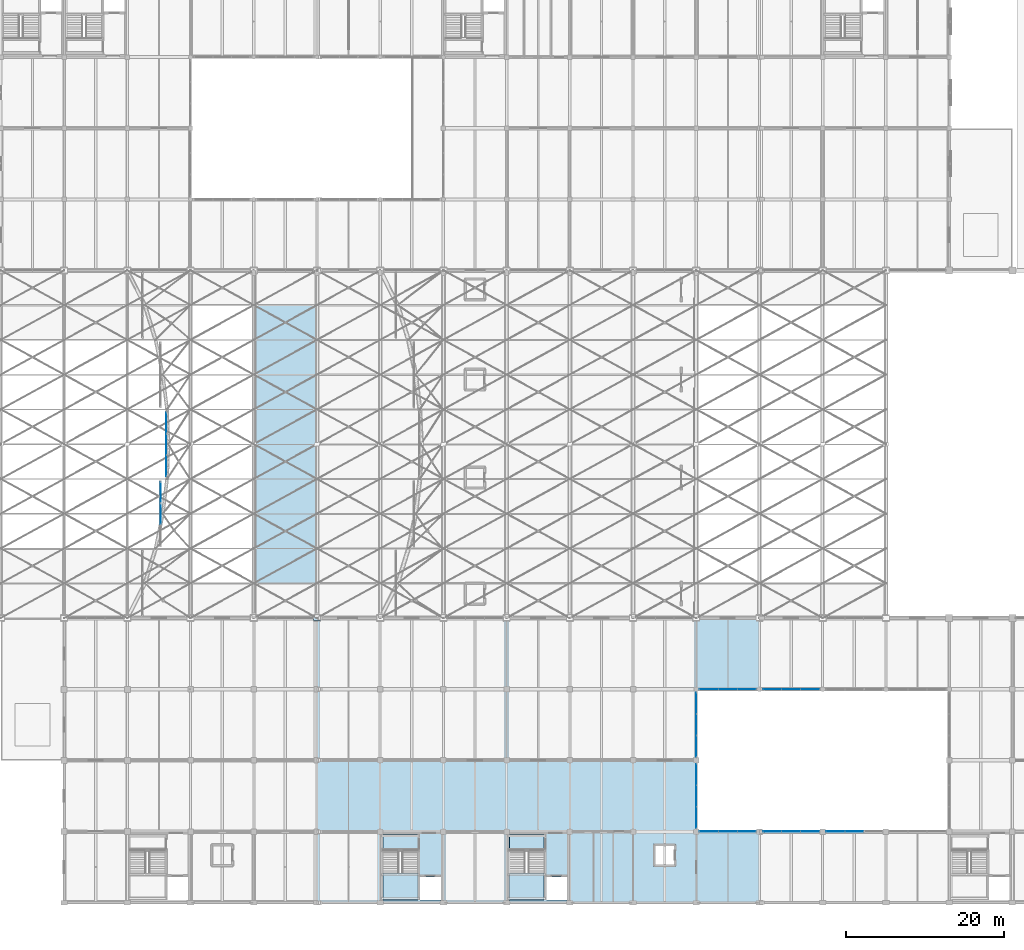
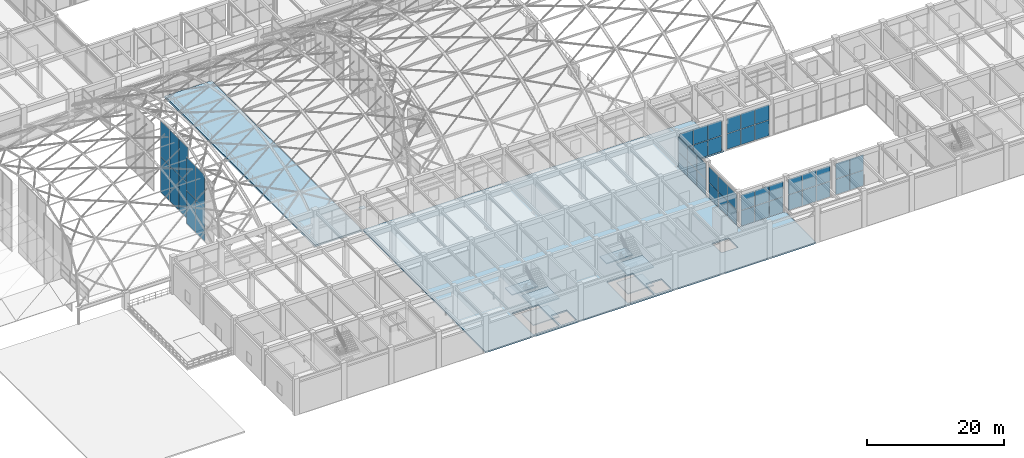
# One storey, part 113 of 163: 51 plates, 8 slabs, 11 elements without a shape of their own.
"""IFC4 building model written with IfcOpenShell, lengths in metres."""

from ifc_helpers import new_model, si_unit, direction, frame, origin, origin_2d, place, context, subcontext, project, spatial, polyline, rectangle, outline, extrude, material, layer, layer_set, type_object, element, aggregate, save


model = new_model("IFC4")

# Units and contexts
model_context = context("Model", 3, precision=1e-05, world=origin(), true_north=direction((0.0, 1.0)))
body_context = subcontext(model_context, "Body", "Model", "MODEL_VIEW")
ifc_project = project(units=[si_unit("LENGTHUNIT", "METRE"), si_unit("AREAUNIT", "SQUARE_METRE"), si_unit("VOLUMEUNIT", "CUBIC_METRE"), si_unit("PLANEANGLEUNIT", "RADIAN"), si_unit("MASSUNIT", "GRAM", prefix="KILO")], contexts=[model_context])

# Site, building, storey
site_placement = place(None, origin())
site = spatial("IfcSite", under=ifc_project, at=site_placement, CompositionType="ELEMENT")
building_placement = place(site_placement, origin())
building = spatial("IfcBuilding", under=site, at=building_placement, Name="Varnabhumi Central Station", CompositionType="ELEMENT")
storey_placement = place(building_placement, frame((0.0, 0.0, 9.60009765625)))
storey = spatial("IfcBuildingStorey", under=building, at=storey_placement, Name="L02", CompositionType="ELEMENT", Elevation=9.60009765625)

# Curtain wall, plates
ifc_material_1 = material(Name="Anodised aluminium 6063-T6", Category="aluminium")
curtain_wall_type_1 = type_object("IfcCurtainWallType", Name="CW-PATIO-LOGGIA-L2", PredefinedType="NOTDEFINED", material=ifc_material_1)
curtain_wall_1_placement = place(storey_placement, origin())
curtain_wall_1 = element("IfcCurtainWall", 1, at=curtain_wall_1_placement, inside=storey, type_object=curtain_wall_type_1, Name="Curtain Wall CW-SP2E1", PredefinedType="NOTDEFINED")
ifc_material_2 = material(Name="Laminated low-E double glazing", Category="glass")
ifc_layer_1 = layer(ifc_material_2, 0.035888671875, Name="Laminated low-E double glazing", Category="glass")
ifc_layer_set_1 = layer_set([ifc_layer_1], Name="Laminated low-E double glazing")
plate_type_1 = type_object("IfcPlateType", Name="CW-PNL-GLZ-3", PredefinedType="CURTAIN_PANEL", material=ifc_layer_set_1)
plate_1_placement = place(storey_placement, frame((112.0, 10.780029296875, 0.0400390625), z_axis=(0.0, 0.0, 1.0), x_axis=(0.0, 1.0, 0.0)))
plate_1 = element("IfcPlate", 2, at=plate_1_placement, type_object=plate_type_1, Name="Glazed Panel CW-SP2E1-P11", PredefinedType="CURTAIN_PANEL", context=body_context, shape_type="SweptSolid", body=[
    extrude(rectangle(XDim=2.639892578125, YDim=0.035888671875, at=origin_2d()), origin(), (0.0, 0.0, 1.0), 2.739990234375),
])
plate_2_placement = place(storey_placement, frame((112.0, 10.780029296875, 2.85986328125), z_axis=(0.0, 0.0, 1.0), x_axis=(0.0, 1.0, 0.0)))
plate_2 = element("IfcPlate", 3, at=plate_2_placement, type_object=plate_type_1, Name="Glazed Panel CW-SP2E1-P12", PredefinedType="CURTAIN_PANEL", context=body_context, shape_type="SweptSolid", body=[
    extrude(rectangle(XDim=2.639892578125, YDim=0.035888671875, at=origin_2d()), origin(), (0.0, 0.0, 1.0), 2.739990234375),
])
plate_3_placement = place(storey_placement, frame((112.0, 13.5, 0.0400390625), z_axis=(0.0, 0.0, 1.0), x_axis=(0.0, 1.0, 0.0)))
plate_3 = element("IfcPlate", 4, at=plate_3_placement, type_object=plate_type_1, Name="Glazed Panel CW-SP2E1-P21", PredefinedType="CURTAIN_PANEL", context=body_context, shape_type="SweptSolid", body=[
    extrude(rectangle(XDim=2.639892578125, YDim=0.035888671875, at=origin_2d()), origin(), (0.0, 0.0, 1.0), 2.739990234375),
])
plate_4_placement = place(storey_placement, frame((112.0, 13.5, 2.85986328125), z_axis=(0.0, 0.0, 1.0), x_axis=(0.0, 1.0, 0.0)))
plate_4 = element("IfcPlate", 5, at=plate_4_placement, type_object=plate_type_1, Name="Glazed Panel CW-SP2E1-P22", PredefinedType="CURTAIN_PANEL", context=body_context, shape_type="SweptSolid", body=[
    extrude(rectangle(XDim=2.639892578125, YDim=0.035888671875, at=origin_2d()), origin(), (0.0, 0.0, 1.0), 2.739990234375),
])
plate_5_placement = place(storey_placement, frame((112.0, 16.219970703125, 0.0400390625), z_axis=(0.0, 0.0, 1.0), x_axis=(0.0, 1.0, 0.0)))
plate_5 = element("IfcPlate", 6, at=plate_5_placement, type_object=plate_type_1, Name="Glazed Panel CW-SP2E1-P31", PredefinedType="CURTAIN_PANEL", context=body_context, shape_type="SweptSolid", body=[
    extrude(rectangle(XDim=2.639892578125, YDim=0.035888671875, at=origin_2d()), origin(), (0.0, 0.0, 1.0), 2.739990234375),
])
plate_6_placement = place(storey_placement, frame((112.0, 16.219970703125, 2.85986328125), z_axis=(0.0, 0.0, 1.0), x_axis=(0.0, 1.0, 0.0)))
plate_6 = element("IfcPlate", 7, at=plate_6_placement, type_object=plate_type_1, Name="Glazed Panel CW-SP2E1-P32", PredefinedType="CURTAIN_PANEL", context=body_context, shape_type="SweptSolid", body=[
    extrude(rectangle(XDim=2.639892578125, YDim=0.035888671875, at=origin_2d()), origin(), (0.0, 0.0, 1.0), 2.739990234375),
])
aggregate(curtain_wall_1, [plate_1, plate_2, plate_3, plate_4, plate_5, plate_6])

curtain_wall_2_placement = place(storey_placement, origin())
curtain_wall_2 = element("IfcCurtainWall", 8, at=curtain_wall_2_placement, inside=storey, type_object=curtain_wall_type_1, Name="Curtain Wall CW-SP2E2", PredefinedType="NOTDEFINED")
plate_7_placement = place(storey_placement, frame((112.0, 19.780029296875, 0.0400390625), z_axis=(0.0, 0.0, 1.0), x_axis=(0.0, 1.0, 0.0)))
plate_7 = element("IfcPlate", 9, at=plate_7_placement, type_object=plate_type_1, Name="Glazed Panel CW-SP2E2-P11", PredefinedType="CURTAIN_PANEL", context=body_context, shape_type="SweptSolid", body=[
    extrude(rectangle(XDim=2.639892578125, YDim=0.035888671875, at=origin_2d()), origin(), (0.0, 0.0, 1.0), 2.739990234375),
])
plate_8_placement = place(storey_placement, frame((112.0, 19.780029296875, 2.85986328125), z_axis=(0.0, 0.0, 1.0), x_axis=(0.0, 1.0, 0.0)))
plate_8 = element("IfcPlate", 10, at=plate_8_placement, type_object=plate_type_1, Name="Glazed Panel CW-SP2E2-P12", PredefinedType="CURTAIN_PANEL", context=body_context, shape_type="SweptSolid", body=[
    extrude(rectangle(XDim=2.639892578125, YDim=0.035888671875, at=origin_2d()), origin(), (0.0, 0.0, 1.0), 2.739990234375),
])
plate_9_placement = place(storey_placement, frame((112.0, 22.5, 0.0400390625), z_axis=(0.0, 0.0, 1.0), x_axis=(0.0, 1.0, 0.0)))
plate_9 = element("IfcPlate", 11, at=plate_9_placement, type_object=plate_type_1, Name="Glazed Panel CW-SP2E2-P21", PredefinedType="CURTAIN_PANEL", context=body_context, shape_type="SweptSolid", body=[
    extrude(rectangle(XDim=2.639892578125, YDim=0.035888671875, at=origin_2d()), origin(), (0.0, 0.0, 1.0), 2.739990234375),
])
plate_10_placement = place(storey_placement, frame((112.0, 22.5, 2.85986328125), z_axis=(0.0, 0.0, 1.0), x_axis=(0.0, 1.0, 0.0)))
plate_10 = element("IfcPlate", 12, at=plate_10_placement, type_object=plate_type_1, Name="Glazed Panel CW-SP2E2-P22", PredefinedType="CURTAIN_PANEL", context=body_context, shape_type="SweptSolid", body=[
    extrude(rectangle(XDim=2.639892578125, YDim=0.035888671875, at=origin_2d()), origin(), (0.0, 0.0, 1.0), 2.739990234375),
])
plate_11_placement = place(storey_placement, frame((112.0, 25.219970703125, 0.0400390625), z_axis=(0.0, 0.0, 1.0), x_axis=(0.0, 1.0, 0.0)))
plate_11 = element("IfcPlate", 13, at=plate_11_placement, type_object=plate_type_1, Name="Glazed Panel CW-SP2E2-P31", PredefinedType="CURTAIN_PANEL", context=body_context, shape_type="SweptSolid", body=[
    extrude(rectangle(XDim=2.639892578125, YDim=0.035888671875, at=origin_2d()), origin(), (0.0, 0.0, 1.0), 2.739990234375),
])
plate_12_placement = place(storey_placement, frame((112.0, 25.219970703125, 2.85986328125), z_axis=(0.0, 0.0, 1.0), x_axis=(0.0, 1.0, 0.0)))
plate_12 = element("IfcPlate", 14, at=plate_12_placement, type_object=plate_type_1, Name="Glazed Panel CW-SP2E2-P32", PredefinedType="CURTAIN_PANEL", context=body_context, shape_type="SweptSolid", body=[
    extrude(rectangle(XDim=2.639892578125, YDim=0.035888671875, at=origin_2d()), origin(), (0.0, 0.0, 1.0), 2.739990234375),
])
aggregate(curtain_wall_2, [plate_7, plate_8, plate_9, plate_10, plate_11, plate_12])

curtain_wall_3_placement = place(storey_placement, origin())
curtain_wall_3 = element("IfcCurtainWall", 15, at=curtain_wall_3_placement, inside=storey, type_object=curtain_wall_type_1, Name="Curtain Wall CW-SP2S1", PredefinedType="NOTDEFINED")
ifc_layer_2 = layer(ifc_material_2, 0.035888671875, Name="Laminated low-E double glazing", Category="glass")
ifc_layer_set_2 = layer_set([ifc_layer_2], Name="Laminated low-E double glazing")
plate_type_2 = type_object("IfcPlateType", Name="CW-PNL-GLZ-6", PredefinedType="CURTAIN_PANEL", material=ifc_layer_set_2)
plate_13_placement = place(storey_placement, frame((113.61328125, 9.0, 0.0400390625), z_axis=(0.0, 0.0, 1.0), x_axis=(1.0, 0.0, 0.0)))
plate_13 = element("IfcPlate", 16, at=plate_13_placement, type_object=plate_type_2, Name="Glazed Panel CW-SP2S1-P11", PredefinedType="CURTAIN_PANEL", context=body_context, shape_type="SweptSolid", body=[
    extrude(rectangle(XDim=2.306640625, YDim=0.035888671875, at=origin_2d()), origin(), (0.0, 0.0, 1.0), 2.739990234375),
])
plate_14_placement = place(storey_placement, frame((113.61328125, 9.0, 2.85986328125), z_axis=(0.0, 0.0, 1.0), x_axis=(1.0, 0.0, 0.0)))
plate_14 = element("IfcPlate", 17, at=plate_14_placement, type_object=plate_type_2, Name="Glazed Panel CW-SP2S1-P12", PredefinedType="CURTAIN_PANEL", context=body_context, shape_type="SweptSolid", body=[
    extrude(rectangle(XDim=2.306640625, YDim=0.035888671875, at=origin_2d()), origin(), (0.0, 0.0, 1.0), 2.739990234375),
])
plate_15_placement = place(storey_placement, frame((116.0, 9.0, 0.0400390625), z_axis=(0.0, 0.0, 1.0), x_axis=(1.0, 0.0, 0.0)))
plate_15 = element("IfcPlate", 18, at=plate_15_placement, type_object=plate_type_2, Name="Glazed Panel CW-SP2S1-P21", PredefinedType="CURTAIN_PANEL", context=body_context, shape_type="SweptSolid", body=[
    extrude(rectangle(XDim=2.306640625, YDim=0.035888671875, at=origin_2d()), origin(), (0.0, 0.0, 1.0), 2.739990234375),
])
plate_16_placement = place(storey_placement, frame((116.0, 9.0, 2.85986328125), z_axis=(0.0, 0.0, 1.0), x_axis=(1.0, 0.0, 0.0)))
plate_16 = element("IfcPlate", 19, at=plate_16_placement, type_object=plate_type_2, Name="Glazed Panel CW-SP2S1-P22", PredefinedType="CURTAIN_PANEL", context=body_context, shape_type="SweptSolid", body=[
    extrude(rectangle(XDim=2.306640625, YDim=0.035888671875, at=origin_2d()), origin(), (0.0, 0.0, 1.0), 2.739990234375),
])
plate_17_placement = place(storey_placement, frame((118.38671875, 9.0, 0.0400390625), z_axis=(0.0, 0.0, 1.0), x_axis=(1.0, 0.0, 0.0)))
plate_17 = element("IfcPlate", 20, at=plate_17_placement, type_object=plate_type_2, Name="Glazed Panel CW-SP2S1-P31", PredefinedType="CURTAIN_PANEL", context=body_context, shape_type="SweptSolid", body=[
    extrude(rectangle(XDim=2.306640625, YDim=0.035888671875, at=origin_2d()), origin(), (0.0, 0.0, 1.0), 2.739990234375),
])
plate_18_placement = place(storey_placement, frame((118.38671875, 9.0, 2.85986328125), z_axis=(0.0, 0.0, 1.0), x_axis=(1.0, 0.0, 0.0)))
plate_18 = element("IfcPlate", 21, at=plate_18_placement, type_object=plate_type_2, Name="Glazed Panel CW-SP2S1-P32", PredefinedType="CURTAIN_PANEL", context=body_context, shape_type="SweptSolid", body=[
    extrude(rectangle(XDim=2.306640625, YDim=0.035888671875, at=origin_2d()), origin(), (0.0, 0.0, 1.0), 2.739990234375),
])
aggregate(curtain_wall_3, [plate_13, plate_14, plate_15, plate_16, plate_17, plate_18])

curtain_wall_4_placement = place(storey_placement, origin())
curtain_wall_4 = element("IfcCurtainWall", 22, at=curtain_wall_4_placement, inside=storey, type_object=curtain_wall_type_1, Name="Curtain Wall CW-SP2N1", PredefinedType="NOTDEFINED")
plate_19_placement = place(storey_placement, frame((113.61328125, 27.0, 0.0400390625), z_axis=(0.0, 0.0, 1.0), x_axis=(1.0, 0.0, 0.0)))
plate_19 = element("IfcPlate", 23, at=plate_19_placement, type_object=plate_type_2, Name="Glazed Panel CW-SP2N1-P11", PredefinedType="CURTAIN_PANEL", context=body_context, shape_type="SweptSolid", body=[
    extrude(rectangle(XDim=2.306640625, YDim=0.035888671875, at=origin_2d()), origin(), (0.0, 0.0, 1.0), 2.739990234375),
])
plate_20_placement = place(storey_placement, frame((113.61328125, 27.0, 2.85986328125), z_axis=(0.0, 0.0, 1.0), x_axis=(1.0, 0.0, 0.0)))
plate_20 = element("IfcPlate", 24, at=plate_20_placement, type_object=plate_type_2, Name="Glazed Panel CW-SP2N1-P12", PredefinedType="CURTAIN_PANEL", context=body_context, shape_type="SweptSolid", body=[
    extrude(rectangle(XDim=2.306640625, YDim=0.035888671875, at=origin_2d()), origin(), (0.0, 0.0, 1.0), 2.739990234375),
])
plate_21_placement = place(storey_placement, frame((116.0, 27.0, 0.0400390625), z_axis=(0.0, 0.0, 1.0), x_axis=(1.0, 0.0, 0.0)))
plate_21 = element("IfcPlate", 25, at=plate_21_placement, type_object=plate_type_2, Name="Glazed Panel CW-SP2N1-P21", PredefinedType="CURTAIN_PANEL", context=body_context, shape_type="SweptSolid", body=[
    extrude(rectangle(XDim=2.306640625, YDim=0.035888671875, at=origin_2d()), origin(), (0.0, 0.0, 1.0), 2.739990234375),
])
plate_22_placement = place(storey_placement, frame((116.0, 27.0, 2.85986328125), z_axis=(0.0, 0.0, 1.0), x_axis=(1.0, 0.0, 0.0)))
plate_22 = element("IfcPlate", 26, at=plate_22_placement, type_object=plate_type_2, Name="Glazed Panel CW-SP2N1-P22", PredefinedType="CURTAIN_PANEL", context=body_context, shape_type="SweptSolid", body=[
    extrude(rectangle(XDim=2.306640625, YDim=0.035888671875, at=origin_2d()), origin(), (0.0, 0.0, 1.0), 2.739990234375),
])
plate_23_placement = place(storey_placement, frame((118.38671875, 27.0, 0.0400390625), z_axis=(0.0, 0.0, 1.0), x_axis=(1.0, 0.0, 0.0)))
plate_23 = element("IfcPlate", 27, at=plate_23_placement, type_object=plate_type_2, Name="Glazed Panel CW-SP2N1-P31", PredefinedType="CURTAIN_PANEL", context=body_context, shape_type="SweptSolid", body=[
    extrude(rectangle(XDim=2.306640625, YDim=0.035888671875, at=origin_2d()), origin(), (0.0, 0.0, 1.0), 2.739990234375),
])
plate_24_placement = place(storey_placement, frame((118.38671875, 27.0, 2.85986328125), z_axis=(0.0, 0.0, 1.0), x_axis=(1.0, 0.0, 0.0)))
plate_24 = element("IfcPlate", 28, at=plate_24_placement, type_object=plate_type_2, Name="Glazed Panel CW-SP2N1-P32", PredefinedType="CURTAIN_PANEL", context=body_context, shape_type="SweptSolid", body=[
    extrude(rectangle(XDim=2.306640625, YDim=0.035888671875, at=origin_2d()), origin(), (0.0, 0.0, 1.0), 2.739990234375),
])
aggregate(curtain_wall_4, [plate_19, plate_20, plate_21, plate_22, plate_23, plate_24])

curtain_wall_type_2 = type_object("IfcCurtainWallType", Name="CW-VAULT-ARCH-V3", PredefinedType="NOTDEFINED", material=ifc_material_1)
curtain_wall_5_placement = place(storey_placement, origin())
curtain_wall_5 = element("IfcCurtainWall", 29, at=curtain_wall_5_placement, inside=storey, type_object=curtain_wall_type_2, Name="Curtain Wall CW-V32", PredefinedType="NOTDEFINED")
ifc_layer_3 = layer(ifc_material_2, 0.035888671875, Name="Laminated low-E double glazing", Category="glass")
ifc_layer_set_3 = layer_set([ifc_layer_3], Name="Laminated low-E double glazing")
plate_type_3 = type_object("IfcPlateType", Name="CW-PNL-GLZ-7", PredefinedType="CURTAIN_PANEL", material=ifc_layer_set_3)
plate_25_placement = place(storey_placement, frame((44.22412109375, 49.199951171875, -2.35986328125), z_axis=(0.0, 0.0, 1.0), x_axis=(0.0, 1.0, 0.0)))
plate_25 = element("IfcPlate", 30, at=plate_25_placement, type_object=plate_type_3, Name="Glazed Panel CW-V32-P21", PredefinedType="CURTAIN_PANEL", context=body_context, shape_type="SweptSolid", body=[
    extrude(rectangle(XDim=2.6201171875, YDim=0.035888671875, at=origin_2d()), origin(), (0.0, 0.0, 1.0), 5.856689453125),
])
plate_26_placement = place(storey_placement, frame((44.22412109375, 49.199951171875, 3.57666015625), z_axis=(0.0, 0.0, 1.0), x_axis=(0.0, 1.0, 0.0)))
plate_26 = element("IfcPlate", 31, at=plate_26_placement, type_object=plate_type_3, Name="Glazed Panel CW-V32-P22", PredefinedType="CURTAIN_PANEL", context=body_context, shape_type="SweptSolid", body=[
    extrude(rectangle(XDim=2.6201171875, YDim=0.035888671875, at=origin_2d()), origin(), (0.0, 0.0, 1.0), 5.856689453125),
])
plate_27_placement = place(storey_placement, frame((44.22412109375, 51.89990234375, -2.35986328125), z_axis=(0.0, 0.0, 1.0), x_axis=(0.0, 1.0, 0.0)))
plate_27 = element("IfcPlate", 32, at=plate_27_placement, type_object=plate_type_3, Name="Glazed Panel CW-V32-P31", PredefinedType="CURTAIN_PANEL", context=body_context, shape_type="SweptSolid", body=[
    extrude(rectangle(XDim=2.6201171875, YDim=0.035888671875, at=origin_2d()), origin(), (0.0, 0.0, 1.0), 5.856689453125),
])
plate_28_placement = place(storey_placement, frame((44.22412109375, 51.89990234375, 3.57666015625), z_axis=(0.0, 0.0, 1.0), x_axis=(0.0, 1.0, 0.0)))
plate_28 = element("IfcPlate", 33, at=plate_28_placement, type_object=plate_type_3, Name="Glazed Panel CW-V32-P32", PredefinedType="CURTAIN_PANEL", context=body_context, shape_type="SweptSolid", body=[
    extrude(rectangle(XDim=2.6201171875, YDim=0.035888671875, at=origin_2d()), origin(), (0.0, 0.0, 1.0), 5.856689453125),
])
aggregate(curtain_wall_5, [plate_25, plate_26, plate_27, plate_28])

curtain_wall_6_placement = place(storey_placement, origin())
curtain_wall_6 = element("IfcCurtainWall", 34, at=curtain_wall_6_placement, inside=storey, type_object=curtain_wall_type_2, Name="Curtain Wall CW-V33", PredefinedType="NOTDEFINED")
plate_29_placement = place(storey_placement, frame((44.931884765625, 55.300048828125, -2.3603515625), z_axis=(0.0, 0.0, 1.0), x_axis=(0.0, 1.0, 0.0)))
plate_29 = element("IfcPlate", 35, at=plate_29_placement, type_object=plate_type_3, Name="Glazed Panel CW-V33-P11", PredefinedType="CURTAIN_PANEL", context=body_context, shape_type="SweptSolid", body=[
    extrude(rectangle(XDim=2.6201171875, YDim=0.035888671875, at=origin_2d()), origin(), (0.0, 0.0, 1.0), 6.320068359375),
])
plate_30_placement = place(storey_placement, frame((44.931884765625, 55.300048828125, 4.0400390625), z_axis=(0.0, 0.0, 1.0), x_axis=(0.0, 1.0, 0.0)))
plate_30 = element("IfcPlate", 36, at=plate_30_placement, type_object=plate_type_3, Name="Glazed Panel CW-V33-P12", PredefinedType="CURTAIN_PANEL", context=body_context, shape_type="SweptSolid", body=[
    extrude(rectangle(XDim=2.6201171875, YDim=0.035888671875, at=origin_2d()), origin(), (0.0, 0.0, 1.0), 6.320068359375),
])
plate_31_placement = place(storey_placement, frame((44.931884765625, 58.0, -2.3603515625), z_axis=(0.0, 0.0, 1.0), x_axis=(0.0, 1.0, 0.0)))
plate_31 = element("IfcPlate", 37, at=plate_31_placement, type_object=plate_type_3, Name="Glazed Panel CW-V33-P21", PredefinedType="CURTAIN_PANEL", context=body_context, shape_type="SweptSolid", body=[
    extrude(rectangle(XDim=2.6201171875, YDim=0.035888671875, at=origin_2d()), origin(), (0.0, 0.0, 1.0), 6.320068359375),
])
plate_32_placement = place(storey_placement, frame((44.931884765625, 58.0, 4.0400390625), z_axis=(0.0, 0.0, 1.0), x_axis=(0.0, 1.0, 0.0)))
plate_32 = element("IfcPlate", 38, at=plate_32_placement, type_object=plate_type_3, Name="Glazed Panel CW-V33-P22", PredefinedType="CURTAIN_PANEL", context=body_context, shape_type="SweptSolid", body=[
    extrude(rectangle(XDim=2.6201171875, YDim=0.035888671875, at=origin_2d()), origin(), (0.0, 0.0, 1.0), 6.320068359375),
])
plate_33_placement = place(storey_placement, frame((44.931884765625, 60.699951171875, -2.3603515625), z_axis=(0.0, 0.0, 1.0), x_axis=(0.0, 1.0, 0.0)))
plate_33 = element("IfcPlate", 39, at=plate_33_placement, type_object=plate_type_3, Name="Glazed Panel CW-V33-P31", PredefinedType="CURTAIN_PANEL", context=body_context, shape_type="SweptSolid", body=[
    extrude(rectangle(XDim=2.6201171875, YDim=0.035888671875, at=origin_2d()), origin(), (0.0, 0.0, 1.0), 6.320068359375),
])
plate_34_placement = place(storey_placement, frame((44.931884765625, 60.699951171875, 4.0400390625), z_axis=(0.0, 0.0, 1.0), x_axis=(0.0, 1.0, 0.0)))
plate_34 = element("IfcPlate", 40, at=plate_34_placement, type_object=plate_type_3, Name="Glazed Panel CW-V33-P32", PredefinedType="CURTAIN_PANEL", context=body_context, shape_type="SweptSolid", body=[
    extrude(rectangle(XDim=2.6201171875, YDim=0.035888671875, at=origin_2d()), origin(), (0.0, 0.0, 1.0), 6.320068359375),
])
aggregate(curtain_wall_6, [plate_29, plate_30, plate_31, plate_32, plate_33, plate_34])

curtain_wall_7_placement = place(storey_placement, origin())
curtain_wall_7 = element("IfcCurtainWall", 41, at=curtain_wall_7_placement, inside=storey, type_object=curtain_wall_type_1, Name="Curtain Wall CW-SP2S2", PredefinedType="NOTDEFINED")
plate_35_placement = place(storey_placement, frame((121.61328125, 9.0, 0.0400390625), z_axis=(0.0, 0.0, 1.0), x_axis=(1.0, 0.0, 0.0)))
plate_35 = element("IfcPlate", 42, at=plate_35_placement, type_object=plate_type_3, Name="Glazed Panel CW-SP2S2-P11", PredefinedType="CURTAIN_PANEL", context=body_context, shape_type="SweptSolid", body=[
    extrude(rectangle(XDim=2.306640625, YDim=0.035888671875, at=origin_2d()), origin(), (0.0, 0.0, 1.0), 2.739990234375),
])
plate_36_placement = place(storey_placement, frame((121.61328125, 9.0, 2.85986328125), z_axis=(0.0, 0.0, 1.0), x_axis=(1.0, 0.0, 0.0)))
plate_36 = element("IfcPlate", 43, at=plate_36_placement, type_object=plate_type_3, Name="Glazed Panel CW-SP2S2-P12", PredefinedType="CURTAIN_PANEL", context=body_context, shape_type="SweptSolid", body=[
    extrude(rectangle(XDim=2.306640625, YDim=0.035888671875, at=origin_2d()), origin(), (0.0, 0.0, 1.0), 2.739990234375),
])
plate_37_placement = place(storey_placement, frame((124.0, 9.0, 0.0400390625), z_axis=(0.0, 0.0, 1.0), x_axis=(1.0, 0.0, 0.0)))
plate_37 = element("IfcPlate", 44, at=plate_37_placement, type_object=plate_type_3, Name="Glazed Panel CW-SP2S2-P21", PredefinedType="CURTAIN_PANEL", context=body_context, shape_type="SweptSolid", body=[
    extrude(rectangle(XDim=2.306640625, YDim=0.035888671875, at=origin_2d()), origin(), (0.0, 0.0, 1.0), 2.739990234375),
])
plate_38_placement = place(storey_placement, frame((124.0, 9.0, 2.85986328125), z_axis=(0.0, 0.0, 1.0), x_axis=(1.0, 0.0, 0.0)))
plate_38 = element("IfcPlate", 45, at=plate_38_placement, type_object=plate_type_3, Name="Glazed Panel CW-SP2S2-P22", PredefinedType="CURTAIN_PANEL", context=body_context, shape_type="SweptSolid", body=[
    extrude(rectangle(XDim=2.306640625, YDim=0.035888671875, at=origin_2d()), origin(), (0.0, 0.0, 1.0), 2.739990234375),
])
plate_39_placement = place(storey_placement, frame((126.38671875, 9.0, 0.0400390625), z_axis=(0.0, 0.0, 1.0), x_axis=(1.0, 0.0, 0.0)))
plate_39 = element("IfcPlate", 46, at=plate_39_placement, type_object=plate_type_3, Name="Glazed Panel CW-SP2S2-P31", PredefinedType="CURTAIN_PANEL", context=body_context, shape_type="SweptSolid", body=[
    extrude(rectangle(XDim=2.306640625, YDim=0.035888671875, at=origin_2d()), origin(), (0.0, 0.0, 1.0), 2.739990234375),
])
plate_40_placement = place(storey_placement, frame((126.38671875, 9.0, 2.85986328125), z_axis=(0.0, 0.0, 1.0), x_axis=(1.0, 0.0, 0.0)))
plate_40 = element("IfcPlate", 47, at=plate_40_placement, type_object=plate_type_3, Name="Glazed Panel CW-SP2S2-P32", PredefinedType="CURTAIN_PANEL", context=body_context, shape_type="SweptSolid", body=[
    extrude(rectangle(XDim=2.306640625, YDim=0.035888671875, at=origin_2d()), origin(), (0.0, 0.0, 1.0), 2.739990234375),
])
aggregate(curtain_wall_7, [plate_35, plate_36, plate_37, plate_38, plate_39, plate_40])

curtain_wall_8_placement = place(storey_placement, origin())
curtain_wall_8 = element("IfcCurtainWall", 48, at=curtain_wall_8_placement, inside=storey, type_object=curtain_wall_type_1, Name="Curtain Wall CW-SP2N2", PredefinedType="NOTDEFINED")
plate_41_placement = place(storey_placement, frame((121.61328125, 27.0, 0.0400390625), z_axis=(0.0, 0.0, 1.0), x_axis=(1.0, 0.0, 0.0)))
plate_41 = element("IfcPlate", 49, at=plate_41_placement, type_object=plate_type_3, Name="Glazed Panel CW-SP2N2-P11", PredefinedType="CURTAIN_PANEL", context=body_context, shape_type="SweptSolid", body=[
    extrude(rectangle(XDim=2.306640625, YDim=0.035888671875, at=origin_2d()), origin(), (0.0, 0.0, 1.0), 2.739990234375),
])
plate_42_placement = place(storey_placement, frame((121.61328125, 27.0, 2.85986328125), z_axis=(0.0, 0.0, 1.0), x_axis=(1.0, 0.0, 0.0)))
plate_42 = element("IfcPlate", 50, at=plate_42_placement, type_object=plate_type_3, Name="Glazed Panel CW-SP2N2-P12", PredefinedType="CURTAIN_PANEL", context=body_context, shape_type="SweptSolid", body=[
    extrude(rectangle(XDim=2.306640625, YDim=0.035888671875, at=origin_2d()), origin(), (0.0, 0.0, 1.0), 2.739990234375),
])
plate_43_placement = place(storey_placement, frame((124.0, 27.0, 0.0400390625), z_axis=(0.0, 0.0, 1.0), x_axis=(1.0, 0.0, 0.0)))
plate_43 = element("IfcPlate", 51, at=plate_43_placement, type_object=plate_type_3, Name="Glazed Panel CW-SP2N2-P21", PredefinedType="CURTAIN_PANEL", context=body_context, shape_type="SweptSolid", body=[
    extrude(rectangle(XDim=2.306640625, YDim=0.035888671875, at=origin_2d()), origin(), (0.0, 0.0, 1.0), 2.739990234375),
])
plate_44_placement = place(storey_placement, frame((124.0, 27.0, 2.85986328125), z_axis=(0.0, 0.0, 1.0), x_axis=(1.0, 0.0, 0.0)))
plate_44 = element("IfcPlate", 52, at=plate_44_placement, type_object=plate_type_3, Name="Glazed Panel CW-SP2N2-P22", PredefinedType="CURTAIN_PANEL", context=body_context, shape_type="SweptSolid", body=[
    extrude(rectangle(XDim=2.306640625, YDim=0.035888671875, at=origin_2d()), origin(), (0.0, 0.0, 1.0), 2.739990234375),
])
plate_45_placement = place(storey_placement, frame((126.38671875, 27.0, 0.0400390625), z_axis=(0.0, 0.0, 1.0), x_axis=(1.0, 0.0, 0.0)))
plate_45 = element("IfcPlate", 53, at=plate_45_placement, type_object=plate_type_3, Name="Glazed Panel CW-SP2N2-P31", PredefinedType="CURTAIN_PANEL", context=body_context, shape_type="SweptSolid", body=[
    extrude(rectangle(XDim=2.306640625, YDim=0.035888671875, at=origin_2d()), origin(), (0.0, 0.0, 1.0), 2.739990234375),
])
plate_46_placement = place(storey_placement, frame((126.38671875, 27.0, 2.85986328125), z_axis=(0.0, 0.0, 1.0), x_axis=(1.0, 0.0, 0.0)))
plate_46 = element("IfcPlate", 54, at=plate_46_placement, type_object=plate_type_3, Name="Glazed Panel CW-SP2N2-P32", PredefinedType="CURTAIN_PANEL", context=body_context, shape_type="SweptSolid", body=[
    extrude(rectangle(XDim=2.306640625, YDim=0.035888671875, at=origin_2d()), origin(), (0.0, 0.0, 1.0), 2.739990234375),
])
aggregate(curtain_wall_8, [plate_41, plate_42, plate_43, plate_44, plate_45, plate_46])

curtain_wall_9_placement = place(storey_placement, origin())
curtain_wall_9 = element("IfcCurtainWall", 55, at=curtain_wall_9_placement, inside=storey, type_object=curtain_wall_type_1, Name="Curtain Wall CW-SP2S3", PredefinedType="NOTDEFINED")
ifc_layer_4 = layer(ifc_material_2, 0.035888671875, Name="Laminated low-E double glazing", Category="glass")
ifc_layer_set_4 = layer_set([ifc_layer_4], Name="Laminated low-E double glazing")
plate_type_4 = type_object("IfcPlateType", Name="CW-PNL-GLZ-8", PredefinedType="CURTAIN_PANEL", material=ifc_layer_set_4)
plate_47_placement = place(storey_placement, frame((129.61328125, 9.0, 0.0400390625), z_axis=(0.0, 0.0, 1.0), x_axis=(1.0, 0.0, 0.0)))
plate_47 = element("IfcPlate", 56, at=plate_47_placement, type_object=plate_type_4, Name="Glazed Panel CW-SP2S3-P11", PredefinedType="CURTAIN_PANEL", context=body_context, shape_type="SweptSolid", body=[
    extrude(rectangle(XDim=2.306640625, YDim=0.035888671875, at=origin_2d()), origin(), (0.0, 0.0, 1.0), 2.739990234375),
])
plate_48_placement = place(storey_placement, frame((129.61328125, 9.0, 2.85986328125), z_axis=(0.0, 0.0, 1.0), x_axis=(1.0, 0.0, 0.0)))
plate_48 = element("IfcPlate", 57, at=plate_48_placement, type_object=plate_type_4, Name="Glazed Panel CW-SP2S3-P12", PredefinedType="CURTAIN_PANEL", context=body_context, shape_type="SweptSolid", body=[
    extrude(rectangle(XDim=2.306640625, YDim=0.035888671875, at=origin_2d()), origin(), (0.0, 0.0, 1.0), 2.739990234375),
])
plate_49_placement = place(storey_placement, frame((132.0, 9.0, 0.0400390625), z_axis=(0.0, 0.0, 1.0), x_axis=(1.0, 0.0, 0.0)))
plate_49 = element("IfcPlate", 58, at=plate_49_placement, type_object=plate_type_4, Name="Glazed Panel CW-SP2S3-P21", PredefinedType="CURTAIN_PANEL", context=body_context, shape_type="SweptSolid", body=[
    extrude(rectangle(XDim=2.306640625, YDim=0.035888671875, at=origin_2d()), origin(), (0.0, 0.0, 1.0), 2.739990234375),
])
plate_50_placement = place(storey_placement, frame((132.0, 9.0, 2.85986328125), z_axis=(0.0, 0.0, 1.0), x_axis=(1.0, 0.0, 0.0)))
plate_50 = element("IfcPlate", 59, at=plate_50_placement, type_object=plate_type_4, Name="Glazed Panel CW-SP2S3-P22", PredefinedType="CURTAIN_PANEL", context=body_context, shape_type="SweptSolid", body=[
    extrude(rectangle(XDim=2.306640625, YDim=0.035888671875, at=origin_2d()), origin(), (0.0, 0.0, 1.0), 2.739990234375),
])
aggregate(curtain_wall_9, [plate_47, plate_48, plate_49, plate_50])

# Plate
ifc_material_3 = material(Name="Structural steel E350", Category="steel")
ifc_layer_5 = layer(ifc_material_3, 0.031982421875, Name="Structural steel E350", Category="steel")
ifc_layer_set_5 = layer_set([ifc_layer_5], Name="Structural steel E350")
plate_type_5 = type_object("IfcPlateType", Name="PLT-GUSSET-A", PredefinedType="USERDEFINED", material=ifc_layer_set_5)
plate_51_placement = place(storey_placement, frame((64.0, 36.0, 3.93408203125), z_axis=(0.0, 0.0, 1.0), x_axis=(1.0, 0.0, 0.0)))
element("IfcPlate", 60, at=plate_51_placement, inside=storey, type_object=plate_type_5, Name="Ticket Hall Vault Arch Springing Gusset 4-S", ObjectType="GUSSET PLATE", PredefinedType="USERDEFINED", context=body_context, shape_type="SweptSolid", body=[
    extrude(rectangle(XDim=0.85009765625, YDim=0.64990234375, at=origin_2d()), origin(), (0.0, 0.0, 1.0), 0.031982421875),
])

# Slab
ifc_material_4 = material(Name="Concrete M40", Category="concrete")
ifc_layer_6 = layer(ifc_material_4, 0.320068359375, Name="Concrete M40", Category="concrete")
ifc_layer_set_6 = layer_set([ifc_layer_6], Name="Concrete M40")
slab_type_1 = type_object("IfcSlabType", Name="SLB-CONCOURSE-320", PredefinedType="FLOOR", material=ifc_layer_set_6)
slab_1_placement = place(storey_placement, frame((0.0, 0.0, -0.320068359375)))
element("IfcSlab", 61, at=slab_1_placement, inside=storey, type_object=slab_type_1, Name="L02 Concourse Bridge East Segment Slab (Grids 8-9)", PredefinedType="FLOOR", context=body_context, shape_type="SweptSolid", body=[
    extrude(outline(polyline([(56.0, 36.0), (63.93994140625, 36.0), (63.93994140625, 80.0), (56.0, 80.0), (56.0, 36.0)])), origin(), (0.0, 0.0, 1.0), 0.320068359375),
])

# Stair, slabs
stair_type = type_object("IfcStairType", Name="STR-CORE-6600", PredefinedType="DOUBLE_RETURN_STAIR", material=ifc_material_4)
stair_1_placement = place(storey_placement, origin())
stair_1 = element("IfcStair", 62, at=stair_1_placement, inside=storey, type_object=stair_type, Name="Core Stair ST-S2 (L02)", PredefinedType="DOUBLE_RETURN_STAIR")
ifc_layer_7 = layer(ifc_material_4, 0.179931640625, Name="Concrete M40", Category="concrete")
ifc_layer_set_7 = layer_set([ifc_layer_7], Name="Concrete M40")
slab_type_2 = type_object("IfcSlabType", Name="SLB-STAIR-LAND", PredefinedType="LANDING", material=ifc_layer_set_7)
slab_2_placement = place(storey_placement, frame((0.0, 0.0, 1.469970703125)))
slab_2 = element("IfcSlab", 63, at=slab_2_placement, type_object=slab_type_2, Name="ST-S2 L02 Quarter Landing 1", PredefinedType="LANDING", context=body_context, shape_type="SweptSolid", body=[
    extrude(outline(polyline([(88.340087890625, 0.360107421875), (92.760009765625, 0.360107421875), (92.760009765625, 3.72998046875), (88.340087890625, 3.72998046875), (88.340087890625, 0.360107421875)])), origin(), (0.0, 0.0, 1.0), 0.179931640625),
])
slab_3_placement = place(storey_placement, frame((0.0, 0.0, 3.119873046875)))
slab_3 = element("IfcSlab", 64, at=slab_3_placement, type_object=slab_type_2, Name="ST-S2 L02 Mid-Height Landing", PredefinedType="LANDING", context=body_context, shape_type="SweptSolid", body=[
    extrude(outline(polyline([(88.340087890625, 6.580078125), (92.760009765625, 6.580078125), (92.760009765625, 8.639892578125), (88.340087890625, 8.639892578125), (88.340087890625, 6.580078125)])), origin(), (0.0, 0.0, 1.0), 0.179931640625),
])
slab_4_placement = place(storey_placement, frame((0.0, 0.0, 4.77001953125)))
slab_4 = element("IfcSlab", 65, at=slab_4_placement, type_object=slab_type_2, Name="ST-S2 L02 Quarter Landing 3", PredefinedType="LANDING", context=body_context, shape_type="SweptSolid", body=[
    extrude(outline(polyline([(88.340087890625, 0.360107421875), (92.760009765625, 0.360107421875), (92.760009765625, 3.72998046875), (88.340087890625, 3.72998046875), (88.340087890625, 0.360107421875)])), origin(), (0.0, 0.0, 1.0), 0.179931640625),
])
aggregate(stair_1, [slab_2, slab_3, slab_4])

stair_2_placement = place(storey_placement, origin())
stair_2 = element("IfcStair", 66, at=stair_2_placement, inside=storey, type_object=stair_type, Name="Core Stair ST-S4 (L02)", PredefinedType="DOUBLE_RETURN_STAIR")
slab_5_placement = place(storey_placement, frame((0.0, 0.0, 1.469970703125)))
slab_5 = element("IfcSlab", 67, at=slab_5_placement, type_object=slab_type_2, Name="ST-S4 L02 Quarter Landing 1", PredefinedType="LANDING", context=body_context, shape_type="SweptSolid", body=[
    extrude(outline(polyline([(72.340087890625, 0.360107421875), (76.760009765625, 0.360107421875), (76.760009765625, 3.72998046875), (72.340087890625, 3.72998046875), (72.340087890625, 0.360107421875)])), origin(), (0.0, 0.0, 1.0), 0.179931640625),
])
slab_6_placement = place(storey_placement, frame((0.0, 0.0, 3.119873046875)))
slab_6 = element("IfcSlab", 68, at=slab_6_placement, type_object=slab_type_2, Name="ST-S4 L02 Mid-Height Landing", PredefinedType="LANDING", context=body_context, shape_type="SweptSolid", body=[
    extrude(outline(polyline([(72.340087890625, 6.580078125), (76.760009765625, 6.580078125), (76.760009765625, 8.639892578125), (72.340087890625, 8.639892578125), (72.340087890625, 6.580078125)])), origin(), (0.0, 0.0, 1.0), 0.179931640625),
])
slab_7_placement = place(storey_placement, frame((0.0, 0.0, 4.77001953125)))
slab_7 = element("IfcSlab", 69, at=slab_7_placement, type_object=slab_type_2, Name="ST-S4 L02 Quarter Landing 3", PredefinedType="LANDING", context=body_context, shape_type="SweptSolid", body=[
    extrude(outline(polyline([(72.340087890625, 0.360107421875), (76.760009765625, 0.360107421875), (76.760009765625, 3.72998046875), (72.340087890625, 3.72998046875), (72.340087890625, 0.360107421875)])), origin(), (0.0, 0.0, 1.0), 0.179931640625),
])
aggregate(stair_2, [slab_5, slab_6, slab_7])

# Slab
ifc_layer_8 = layer(ifc_material_4, 0.25, Name="Concrete M40", Category="concrete")
ifc_layer_set_8 = layer_set([ifc_layer_8], Name="Concrete M40")
slab_type_3 = type_object("IfcSlabType", Name="SLB-WING-250", PredefinedType="FLOOR", material=ifc_layer_set_8)
slab_8_placement = place(storey_placement, frame((0.0, 0.0, -0.25)))
element("IfcSlab", 70, at=slab_8_placement, inside=storey, type_object=slab_type_3, Name="South Wing L02 Floor Slab Zone 2", PredefinedType="FLOOR", context=body_context, shape_type="SweptSolid", body=[
    extrude(outline(polyline([(64.06005859375, 0.0), (119.93994140625, 0.0), (119.93994140625, 9.0), (112.0, 9.0), (112.0, 27.0), (119.93994140625, 27.0), (119.93994140625, 36.0), (64.06005859375, 36.0), (64.06005859375, 0.0)]), holes=[polyline([(88.330078125, 0.35009765625), (92.760009765625, 0.35009765625), (92.760009765625, 6.580078125), (88.330078125, 6.580078125), (88.330078125, 0.35009765625)]), polyline([(93.0400390625, 0.35009765625), (95.669921875, 0.35009765625), (95.669921875, 3.25), (93.0400390625, 3.25), (93.0400390625, 0.35009765625)]), polyline([(72.330078125, 0.35009765625), (76.760009765625, 0.35009765625), (76.760009765625, 6.580078125), (72.330078125, 6.580078125), (72.330078125, 0.35009765625)]), polyline([(77.0400390625, 0.35009765625), (79.669921875, 0.35009765625), (79.669921875, 3.25), (77.0400390625, 3.25), (77.0400390625, 0.35009765625)]), polyline([(106.60009765625, 4.60009765625), (109.39990234375, 4.60009765625), (109.39990234375, 7.39990234375), (106.60009765625, 7.39990234375), (106.60009765625, 4.60009765625)])]), origin(), (0.0, 0.0, 1.0), 0.25),
])

save(model, "model.ifc")
